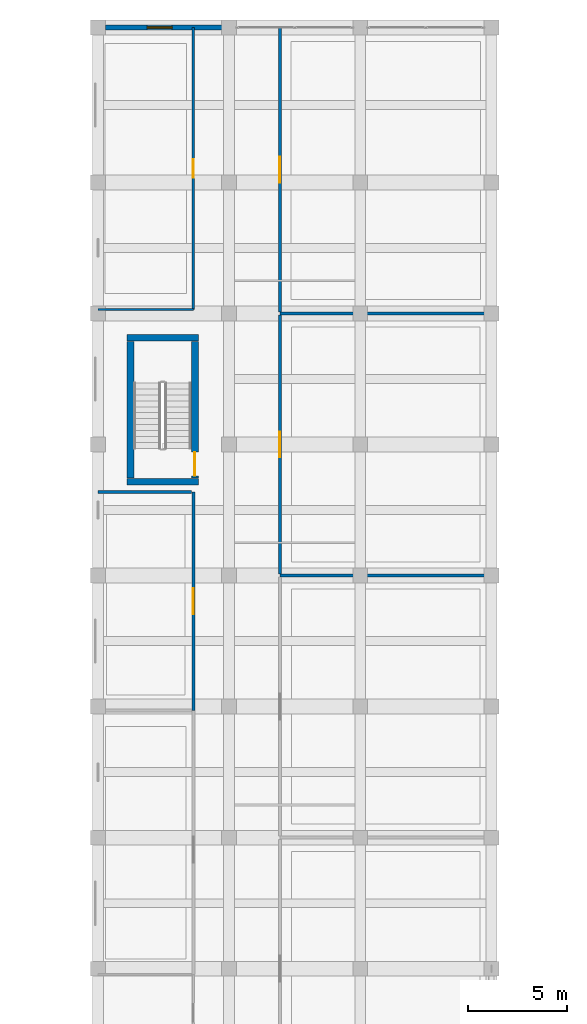
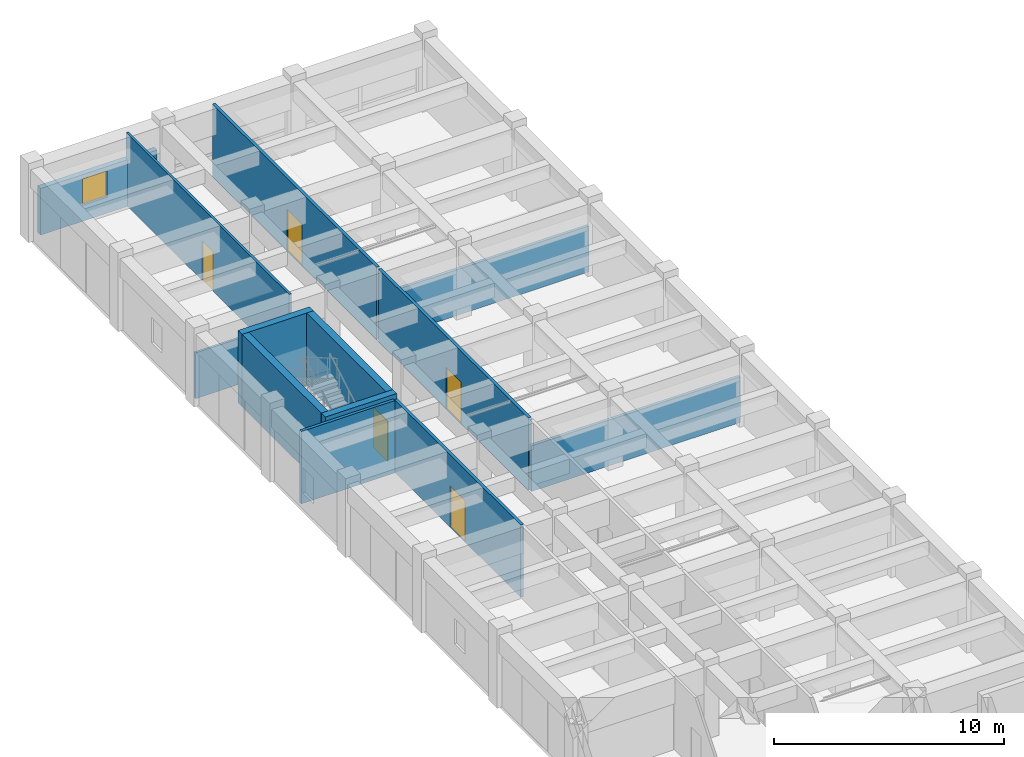
# One storey, part 130 of 148: 13 walls, 5 doors, 1 window, 6 openings.
"""IFC4 building model written with IfcOpenShell, lengths in metres."""

import ifcopenshell
import ifcopenshell.guid

model = None  # the IFC model being written
_history = None  # IfcOwnerHistory: only IFC2X3 demands one
_inside = {}  # id of a spatial element -> (the spatial element, [elements in it])
_under = {}  # id of a project, library or spatial element -> (it, [spatial elements below it])
_declared = {}  # id of a project -> (the project, [libraries it declares])
_typed = {}  # id of a type object -> (the type object, [elements of that type])
_made_of = {}  # id of a material, layer set ... -> (it, [elements and type objects made of it])


def new_model(schema):
    """Start an empty IFC model of exactly this schema.

    Asked for "IFC4X3", IfcOpenShell would pick the latest addendum, in which some entities
    have other attributes; the version numbers below select the first issue.
    IFC2X3 requires an IfcOwnerHistory on every rooted entity: one is made here for all.
    """
    global model, _history
    if schema == "IFC4X3":
        model = ifcopenshell.file(schema_version=(4, 3, 0, 0))
    else:
        model = ifcopenshell.file(schema=schema)
    _inside.clear()
    _under.clear()
    _declared.clear()
    _typed.clear()
    _made_of.clear()
    _history = None
    if model.schema == "IFC2X3":
        org = make("IfcOrganization", Name="unknown")
        user = make(
            "IfcPersonAndOrganization",
            ThePerson=make("IfcPerson", FamilyName="unknown"),
            TheOrganization=org,
        )
        app = make(
            "IfcApplication",
            ApplicationDeveloper=org,
            Version="unknown",
            ApplicationFullName="unknown",
            ApplicationIdentifier="unknown",
        )
        _history = make(
            "IfcOwnerHistory",
            OwningUser=user,
            OwningApplication=app,
            ChangeAction="ADDED",
            CreationDate=0,
        )
    return model


def make(cls, **values):
    """One entity of the class cls with the attributes given. An attribute that is None is left unset."""
    return model.create_entity(
        cls, **{name: value for name, value in values.items() if value is not None}
    )


def rooted(cls, **values):
    """An entity with a GlobalId (a new one), such as an element, a storey or a relation."""
    return make(cls, GlobalId=ifcopenshell.guid.new(), OwnerHistory=_history, **values)


def si_unit(unit_type, name, prefix=None):
    """IfcSIUnit, for example si_unit("LENGTHUNIT", "METRE", prefix="MILLI")."""
    return make("IfcSIUnit", UnitType=unit_type, Prefix=prefix, Name=name)


def assignment(units):
    """IfcUnitAssignment: the units of a project."""
    return None if units is None else make("IfcUnitAssignment", Units=units)


def point(xyz):
    """IfcCartesianPoint."""
    return None if xyz is None else make("IfcCartesianPoint", Coordinates=xyz)


def direction(xyz):
    """IfcDirection."""
    return None if xyz is None else make("IfcDirection", DirectionRatios=xyz)


def frame(location, z_axis=None, x_axis=None):
    """IfcAxis2Placement3D, a coordinate frame: its origin and axes. An axis left out is left unset."""
    return make(
        "IfcAxis2Placement3D",
        Location=point(location),
        Axis=direction(z_axis),
        RefDirection=direction(x_axis),
    )


def frame_2d(location, x_axis=None):
    """IfcAxis2Placement2D, a coordinate frame in the plane: its origin and x axis."""
    return make(
        "IfcAxis2Placement2D", Location=point(location), RefDirection=direction(x_axis)
    )


def origin():
    """The frame at (0, 0, 0) with its axes left unset."""
    return frame((0.0, 0.0, 0.0))


def place(relative_to, where):
    """IfcLocalPlacement: puts the frame where relative to a parent placement (None: the world)."""
    return make(
        "IfcLocalPlacement", PlacementRelTo=relative_to, RelativePlacement=where
    )


def context(
    kind, dimensions, precision=None, world=None, true_north=None, identifier=None
):
    """IfcGeometricRepresentationContext, for example the 3D "Model" context."""
    return make(
        "IfcGeometricRepresentationContext",
        ContextIdentifier=identifier,
        ContextType=kind,
        CoordinateSpaceDimension=dimensions,
        Precision=precision,
        WorldCoordinateSystem=world,
        TrueNorth=true_north,
    )


def subcontext(parent, identifier, kind, view, scale=None):
    """IfcGeometricRepresentationSubContext, for example "Body" below "Model"."""
    return make(
        "IfcGeometricRepresentationSubContext",
        ContextIdentifier=identifier,
        ContextType=kind,
        ParentContext=parent,
        TargetScale=scale,
        TargetView=view,
    )


def project(units=None, contexts=None):
    """IfcProject with its units and contexts."""
    return rooted(
        "IfcProject",
        Name="project",
        RepresentationContexts=contexts,
        UnitsInContext=assignment(units),
    )


def spatial(cls, under=None, at=None, **own):
    """A site, building, storey or space (cls), placed at a placement, below another one or the project."""
    s = rooted(cls, ObjectPlacement=at, **own)
    if under is not None:
        _under.setdefault(under.id(), (under, []))[1].append(s)
    return s


def profile(cls, at=None, kind="AREA", **sizes):
    """A parametric profile (cls). Its sizes go by their IFC names, for example OverallWidth=200.0."""
    return make(cls, ProfileType=kind, Position=at, **sizes)


def rectangle(**sizes):
    """IfcRectangleProfileDef."""
    return profile("IfcRectangleProfileDef", **sizes)


def extrude(swept, where, along, depth):
    """IfcExtrudedAreaSolid: the profile swept, set in the frame where, extruded along a direction by depth."""
    return make(
        "IfcExtrudedAreaSolid",
        SweptArea=swept,
        Position=where,
        ExtrudedDirection=direction(along),
        Depth=depth,
    )


def shape(context_of_items, identifier, shape_type, items):
    """IfcShapeRepresentation: the items that make up one representation, for example the "Body"."""
    return make(
        "IfcShapeRepresentation",
        ContextOfItems=context_of_items,
        RepresentationIdentifier=identifier,
        RepresentationType=shape_type,
        Items=items,
    )


def material(Name=None, Category=None):
    """IfcMaterial."""
    return make("IfcMaterial", Name=Name, Category=Category)


def layer(
    of_material, thickness, ventilated=None, Name=None, Category=None, Priority=None
):
    """IfcMaterialLayer: one layer of a wall or slab, of a material (None: an air gap)."""
    return make(
        "IfcMaterialLayer",
        Material=of_material,
        LayerThickness=thickness,
        IsVentilated=ventilated,
        Name=Name,
        Category=Category,
        Priority=Priority,
    )


def layer_set(layers, Name=None):
    """IfcMaterialLayerSet."""
    return make("IfcMaterialLayerSet", MaterialLayers=layers, LayerSetName=Name)


def made_of(thing, what):
    """Note that an element or type object is made of a material, layer set ...; save() writes the relation."""
    if what is not None:
        _made_of.setdefault(what.id(), (what, []))[1].append(thing)
    return thing


def type_object(cls, material=None, **own):
    """A type object (cls), such as IfcWallType, which elements share."""
    return made_of(rooted(cls, **own), material)


def element(
    cls,
    number,
    at=None,
    inside=None,
    cuts=None,
    type_object=None,
    material=None,
    context=None,
    identifier="Body",
    shape_type=None,
    held_by="IfcProductDefinitionShape",
    body=None,
    shapes=None,
    **own,
):
    """One element of the class cls, such as IfcWall. Its Tag is "e" and its number.

    at: its placement. inside: the storey or other place that contains it. cuts: it is an
    opening in that element (IfcRelVoidsElement). A single representation is given by context,
    identifier, shape_type and body (its items); several are given by shapes. held_by: the class
    of the entity that holds the representations. save() writes the other relations.
    """
    e = rooted(cls, Tag="e%d" % number, ObjectPlacement=at, **own)
    if body is not None:
        shapes = [shape(context, identifier, shape_type, body)]
    if shapes is not None:
        e.Representation = make(held_by, Representations=shapes)
    if inside is not None:
        _inside.setdefault(inside.id(), (inside, []))[1].append(e)
    if cuts is not None:
        rooted(
            "IfcRelVoidsElement", RelatingBuildingElement=cuts, RelatedOpeningElement=e
        )
    if type_object is not None:
        _typed.setdefault(type_object.id(), (type_object, []))[1].append(e)
    return made_of(e, material)


def fill(opening, filler):
    """IfcRelFillsElement: the door or window that sits in an opening."""
    return rooted(
        "IfcRelFillsElement",
        RelatingOpeningElement=opening,
        RelatedBuildingElement=filler,
    )


def aggregate(whole, parts):
    """IfcRelAggregates: a whole, such as a stair, and the parts it consists of."""
    return rooted("IfcRelAggregates", RelatingObject=whole, RelatedObjects=parts)


def save(model, path):
    """Write the relations noted so far, then the file.

    IfcRelAggregates (storeys below a building ...), IfcRelContainedInSpatialStructure (elements
    in a storey), IfcRelDefinesByType, IfcRelAssociatesMaterial and IfcRelDeclares: one each for
    every whole, place, type object, material and project.
    """
    for whole, parts in _under.values():
        aggregate(whole, parts)
    for where, things in _inside.values():
        rooted(
            "IfcRelContainedInSpatialStructure",
            RelatedElements=things,
            RelatingStructure=where,
        )
    for kind, things in _typed.values():
        rooted("IfcRelDefinesByType", RelatedObjects=things, RelatingType=kind)
    for what, things in _made_of.values():
        rooted("IfcRelAssociatesMaterial", RelatedObjects=things, RelatingMaterial=what)
    for by, libraries in _declared.values():
        rooted("IfcRelDeclares", RelatingContext=by, RelatedDefinitions=libraries)
    model.write(path)


model = new_model("IFC4")

# Units and contexts
model_context = context("Model", 3, precision=1e-05, world=origin(), true_north=direction((0.0, 1.0)))
body_context = subcontext(model_context, "Body", "Model", "MODEL_VIEW")
ifc_project = project(units=[si_unit("LENGTHUNIT", "METRE"), si_unit("AREAUNIT", "SQUARE_METRE"), si_unit("VOLUMEUNIT", "CUBIC_METRE"), si_unit("PLANEANGLEUNIT", "RADIAN"), si_unit("MASSUNIT", "GRAM", prefix="KILO")], contexts=[model_context])

# Site, building, storey
site_placement = place(None, origin())
site = spatial("IfcSite", under=ifc_project, at=site_placement, CompositionType="ELEMENT")
building_placement = place(site_placement, origin())
building = spatial("IfcBuilding", under=site, at=building_placement, Name="Karori Crest Natural Sciences Institute", CompositionType="ELEMENT")
storey_placement = place(building_placement, frame((0.0, 0.0, 4.89990234375)))
storey = spatial("IfcBuildingStorey", under=building, at=storey_placement, Name="L01", CompositionType="ELEMENT", Elevation=4.89990234375)

# Walls
ifc_material_1 = material(Name="Concrete 50 MPa", Category="concrete")
ifc_layer_1 = layer(ifc_material_1, 0.35009765625, Name="Concrete 50 MPa")
ifc_layer_set_1 = layer_set([ifc_layer_1], Name="Concrete 50 MPa")
wall_type_1 = type_object("IfcWallType", Name="IWT-02", PredefinedType="SHEAR", material=ifc_layer_set_1)
for number, where, z_axis, x_axis, name in (
    (1, (8.85009765625, 139.324951171875, 0.0), (0.0, 0.0, 1.0), (1.0, 0.0, 0.0), "Shear wall IW-0205"),
    (2, (8.85009765625, 146.574951171875, 0.0), (0.0, 0.0, 1.0), (1.0, 0.0, 0.0), "Shear wall IW-0206"),
):
    element("IfcWall", number, at=place(storey_placement, frame(where, z_axis=z_axis, x_axis=x_axis)), inside=storey, type_object=wall_type_1, Name=name, PredefinedType="SHEAR", context=body_context, shape_type="SweptSolid", body=[
        extrude(rectangle(XDim=3.599853515625, YDim=0.35009765625, at=frame_2d((1.7998046875, 0.0))), origin(), (0.0, 0.0, 1.0), 3.85009765625),
    ])
wall_1_placement = place(storey_placement, frame((9.02490234375, 139.501953125, 0.0), z_axis=(0.0, 0.0, 1.0), x_axis=(0.0, 1.0, 0.0)))
element("IfcWall", 3, at=wall_1_placement, inside=storey, type_object=wall_type_1, Name="Shear wall IW-0207", PredefinedType="SHEAR", context=body_context, shape_type="SweptSolid", body=[
    extrude(rectangle(XDim=6.89599609375, YDim=0.35009765625, at=frame_2d((3.447998046875, 0.0))), origin(), (0.0, 0.0, 1.0), 3.85009765625),
])

# Wall, opening, door
wall_2_placement = place(storey_placement, frame((12.27490234375, 139.501953125, 0.0), z_axis=(0.0, 0.0, 1.0), x_axis=(0.0, 1.0, 0.0)))
wall_2 = element("IfcWall", 4, at=wall_2_placement, inside=storey, type_object=wall_type_1, Name="Shear wall IW-0208", PredefinedType="SHEAR", context=body_context, shape_type="SweptSolid", body=[
    extrude(rectangle(XDim=6.89599609375, YDim=0.35009765625, at=frame_2d((3.447998046875, 0.0))), origin(), (0.0, 0.0, 1.0), 3.85009765625),
])
opening_1_placement = place(wall_2_placement, frame((0.1201171875, 0.0, 0.0)))
opening_1 = element("IfcOpeningElement", 5, at=opening_1_placement, cuts=wall_2, Name="Opening ID-0052", PredefinedType="OPENING", context=body_context, shape_type="SweptSolid", body=[
    extrude(rectangle(XDim=1.199951171875, YDim=2.14990234375, at=frame_2d((0.60009765625, 1.074951171875))), frame((0.0, 0.18505859375, 0.0), z_axis=(0.0, -1.0, 0.0), x_axis=(1.0, 0.0, 0.0)), (0.0, 0.0, 1.0), 0.3701171875),
])
ifc_material_2 = material(Name="Stainless steel 316 and fire-rated timber", Category="steel")
door_type_1 = type_object("IfcDoorType", Name="IDT-01", OperationType="NOTDEFINED", PredefinedType="DOOR", material=ifc_material_2)
door_1_placement = place(opening_1_placement, origin())
door_1 = element("IfcDoor", 6, at=door_1_placement, inside=storey, type_object=door_type_1, Name="Stair ST-06 fire door ID-0052", OperationType="SINGLE_SWING_RIGHT", OverallHeight=2.14990234375, OverallWidth=1.199951171875, PredefinedType="DOOR", context=body_context, shape_type="SweptSolid", body=[
    extrude(rectangle(XDim=1.199951171875, YDim=2.14990234375, at=frame_2d((0.60009765625, 1.074951171875))), frame((0.0, 0.02490234375, 0.0), z_axis=(0.0, -1.0, 0.0), x_axis=(1.0, 0.0, 0.0)), (0.0, 0.0, 1.0), 0.050048828125),
])
fill(opening_1, door_1)

# Wall
ifc_material_3 = material(Name="Clean-room insulated fire partition")
ifc_layer_2 = layer(ifc_material_3, 0.14990234375, Name="Clean-room insulated fire partition")
ifc_layer_set_2 = layer_set([ifc_layer_2], Name="Clean-room insulated fire partition")
wall_type_2 = type_object("IfcWallType", Name="IWT-06", PredefinedType="PARTITIONING", material=ifc_layer_set_2)
wall_3_placement = place(storey_placement, frame((7.39990234375, 138.800048828125, 0.0), z_axis=(0.0, 0.0, 1.0), x_axis=(1.0, 0.0, 0.0)))
element("IfcWall", 7, at=wall_3_placement, inside=storey, type_object=wall_type_2, Name="Partition wall IW-0943", PredefinedType="PARTITIONING", context=body_context, shape_type="SweptSolid", body=[
    extrude(rectangle(XDim=4.697998046875, YDim=0.14990234375, at=frame_2d((2.34912109375, 0.0))), origin(), (0.0, 0.0, 1.0), 3.85009765625),
])

# Wall, opening, door
wall_4_placement = place(storey_placement, frame((12.199951171875, 127.802001953125, 0.0), z_axis=(0.0, 0.0, 1.0), x_axis=(0.0, 1.0, 0.0)))
wall_4 = element("IfcWall", 8, at=wall_4_placement, inside=storey, type_object=wall_type_2, Name="Partition wall IW-0944", PredefinedType="PARTITIONING", context=body_context, shape_type="SweptSolid", body=[
    extrude(rectangle(XDim=10.998046875, YDim=0.14990234375, at=frame_2d((5.4990234375, 0.0))), origin(), (0.0, 0.0, 1.0), 3.85009765625),
])
opening_2_placement = place(wall_4_placement, frame((4.84912109375, 0.0, 0.0)))
opening_2 = element("IfcOpeningElement", 9, at=opening_2_placement, cuts=wall_4, Name="Opening ID-0245", PredefinedType="OPENING", context=body_context, shape_type="SweptSolid", body=[
    extrude(rectangle(XDim=1.300048828125, YDim=2.199951171875, at=frame_2d((0.64990234375, 1.10009765625))), frame((0.0, 0.0849609375, 0.0), z_axis=(0.0, -1.0, 0.0), x_axis=(1.0, 0.0, 0.0)), (0.0, 0.0, 1.0), 0.169921875),
])
door_type_2 = type_object("IfcDoorType", Name="IDT-04", OperationType="NOTDEFINED", PredefinedType="DOOR", material=ifc_material_2)
door_2_placement = place(opening_2_placement, origin())
door_2 = element("IfcDoor", 10, at=door_2_placement, inside=storey, type_object=door_type_2, Name="Optical Metrology Preparation Room door ID-0245", OperationType="SINGLE_SWING_LEFT", OverallHeight=2.199951171875, OverallWidth=1.300048828125, PredefinedType="DOOR", context=body_context, shape_type="SweptSolid", body=[
    extrude(rectangle(XDim=1.300048828125, YDim=2.199951171875, at=frame_2d((0.64990234375, 1.10009765625))), frame((0.0, 0.02490234375, 0.0), z_axis=(0.0, -1.0, 0.0), x_axis=(1.0, 0.0, 0.0)), (0.0, 0.0, 1.0), 0.050048828125),
])
fill(opening_2, door_2)

# Walls
for number, where, z_axis, x_axis, name in (
    (11, (16.550048828125, 134.60009765625, 0.0), (0.0, 0.0, 1.0), (1.0, 0.0, 0.0), "Partition wall IW-0953"),
    (12, (16.550048828125, 147.800048828125, 0.0), (0.0, 0.0, 1.0), (1.0, 0.0, 0.0), "Partition wall IW-0955"),
):
    element("IfcWall", number, at=place(storey_placement, frame(where, z_axis=z_axis, x_axis=x_axis)), inside=storey, type_object=wall_type_2, Name=name, PredefinedType="PARTITIONING", context=body_context, shape_type="SweptSolid", body=[
        extrude(rectangle(XDim=10.508056640625, YDim=0.14990234375, at=frame_2d((5.25390625, 0.0))), origin(), (0.0, 0.0, 1.0), 2.43505859375),
    ])

# Wall, opening, door
wall_5_placement = place(storey_placement, frame((16.550048828125, 134.677001953125, 0.0), z_axis=(0.0, 0.0, 1.0), x_axis=(0.0, 1.0, 0.0)))
wall_5 = element("IfcWall", 13, at=wall_5_placement, inside=storey, type_object=wall_type_2, Name="Partition wall IW-0956", PredefinedType="PARTITIONING", context=body_context, shape_type="SweptSolid", body=[
    extrude(rectangle(XDim=13.0458984375, YDim=0.14990234375, at=frame_2d((6.52294921875, 0.0))), origin(), (0.0, 0.0, 1.0), 3.85009765625),
])
opening_3_placement = place(wall_5_placement, frame((5.873046875, 0.0, 0.0)))
opening_3 = element("IfcOpeningElement", 14, at=opening_3_placement, cuts=wall_5, Name="Opening ID-0250", PredefinedType="OPENING", context=body_context, shape_type="SweptSolid", body=[
    extrude(rectangle(XDim=1.300048828125, YDim=2.199951171875, at=frame_2d((0.64990234375, 1.10009765625))), frame((0.0, 0.0849609375, 0.0), z_axis=(0.0, -1.0, 0.0), x_axis=(1.0, 0.0, 0.0)), (0.0, 0.0, 1.0), 0.169921875),
])
door_3_placement = place(opening_3_placement, origin())
door_3 = element("IfcDoor", 15, at=door_3_placement, inside=storey, type_object=door_type_2, Name="ISO Class 6 Nanofabrication Clean Room door ID-0250", OperationType="SINGLE_SWING_RIGHT", OverallHeight=2.199951171875, OverallWidth=1.300048828125, PredefinedType="DOOR", context=body_context, shape_type="SweptSolid", body=[
    extrude(rectangle(XDim=1.300048828125, YDim=2.199951171875, at=frame_2d((0.64990234375, 1.10009765625))), frame((0.0, 0.02490234375, 0.0), z_axis=(0.0, -1.0, 0.0), x_axis=(1.0, 0.0, 0.0)), (0.0, 0.0, 1.0), 0.050048828125),
])
fill(opening_3, door_3)

wall_6_placement = place(storey_placement, frame((16.550048828125, 147.876953125, 0.0), z_axis=(0.0, 0.0, 1.0), x_axis=(0.0, 1.0, 0.0)))
wall_6 = element("IfcWall", 16, at=wall_6_placement, inside=storey, type_object=wall_type_2, Name="Partition wall IW-0957", PredefinedType="PARTITIONING", context=body_context, shape_type="SweptSolid", body=[
    extrude(rectangle(XDim=14.322998046875, YDim=0.14990234375, at=frame_2d((7.16162109375, 0.0))), origin(), (0.0, 0.0, 1.0), 3.85009765625),
])
opening_4_placement = place(wall_6_placement, frame((6.511474609375, 0.0, 0.0)))
opening_4 = element("IfcOpeningElement", 17, at=opening_4_placement, cuts=wall_6, Name="Opening ID-0251", PredefinedType="OPENING", context=body_context, shape_type="SweptSolid", body=[
    extrude(rectangle(XDim=1.300048828125, YDim=2.199951171875, at=frame_2d((0.64990234375, 1.10009765625))), frame((0.0, 0.0849609375, 0.0), z_axis=(0.0, -1.0, 0.0), x_axis=(1.0, 0.0, 0.0)), (0.0, 0.0, 1.0), 0.169921875),
])
door_4_placement = place(opening_4_placement, origin())
door_4 = element("IfcDoor", 18, at=door_4_placement, inside=storey, type_object=door_type_2, Name="ISO Class 7 Bio-MEMS Clean Room door ID-0251", OperationType="SINGLE_SWING_LEFT", OverallHeight=2.199951171875, OverallWidth=1.300048828125, PredefinedType="DOOR", context=body_context, shape_type="SweptSolid", body=[
    extrude(rectangle(XDim=1.300048828125, YDim=2.199951171875, at=frame_2d((0.64990234375, 1.10009765625))), frame((0.0, 0.02490234375, 0.0), z_axis=(0.0, -1.0, 0.0), x_axis=(1.0, 0.0, 0.0)), (0.0, 0.0, 1.0), 0.050048828125),
])
fill(opening_4, door_4)

# Wall
ifc_material_4 = material(Name="Write-up office acoustic partition")
ifc_layer_3 = layer(ifc_material_4, 0.1201171875, Name="Write-up office acoustic partition")
ifc_layer_set_3 = layer_set([ifc_layer_3], Name="Write-up office acoustic partition")
wall_type_3 = type_object("IfcWallType", Name="IWT-08", PredefinedType="PARTITIONING", material=ifc_layer_set_3)
wall_7_placement = place(storey_placement, frame((7.39990234375, 148.0, 0.0), z_axis=(0.0, 0.0, 1.0), x_axis=(1.0, 0.0, 0.0)))
element("IfcWall", 19, at=wall_7_placement, inside=storey, type_object=wall_type_3, Name="Partition wall IW-0945", PredefinedType="PARTITIONING", context=body_context, shape_type="SweptSolid", body=[
    extrude(rectangle(XDim=4.800048828125, YDim=0.1201171875, at=frame_2d((2.39990234375, 0.0))), origin(), (0.0, 0.0, 1.0), 2.43505859375),
])

# Wall, opening, door
wall_8_placement = place(storey_placement, frame((12.199951171875, 148.0, 0.0), z_axis=(0.0, 0.0, 1.0), x_axis=(0.0, 1.0, 0.0)))
wall_8 = element("IfcWall", 20, at=wall_8_placement, inside=storey, type_object=wall_type_3, Name="Partition wall IW-0946", PredefinedType="PARTITIONING", context=body_context, shape_type="SweptSolid", body=[
    extrude(rectangle(XDim=14.199951171875, YDim=0.1201171875, at=frame_2d((7.10009765625, 0.0))), origin(), (0.0, 0.0, 1.0), 3.85009765625),
])
opening_5_placement = place(wall_8_placement, frame((6.625, 0.0, 0.0)))
opening_5 = element("IfcOpeningElement", 21, at=opening_5_placement, cuts=wall_8, Name="Opening ID-0246", PredefinedType="OPENING", context=body_context, shape_type="SweptSolid", body=[
    extrude(rectangle(XDim=0.949951171875, YDim=2.10009765625, at=frame_2d((0.47509765625, 1.050048828125))), frame((0.0, 0.070068359375, 0.0), z_axis=(0.0, -1.0, 0.0), x_axis=(1.0, 0.0, 0.0)), (0.0, 0.0, 1.0), 0.14013671875),
])
ifc_material_5 = material(Name="Anodised aluminium and acoustic timber", Category="wood")
door_type_3 = type_object("IfcDoorType", Name="IDT-08", OperationType="NOTDEFINED", PredefinedType="DOOR", material=ifc_material_5)
door_5_placement = place(opening_5_placement, origin())
door_5 = element("IfcDoor", 22, at=door_5_placement, inside=storey, type_object=door_type_3, Name="Specimen Assay Room door ID-0246", OperationType="SINGLE_SWING_RIGHT", OverallHeight=2.10009765625, OverallWidth=0.949951171875, PredefinedType="DOOR", context=body_context, shape_type="SweptSolid", body=[
    extrude(rectangle(XDim=0.949951171875, YDim=2.10009765625, at=frame_2d((0.47509765625, 1.050048828125))), frame((0.0, 0.02490234375, 0.0), z_axis=(0.0, -1.0, 0.0), x_axis=(1.0, 0.0, 0.0)), (0.0, 0.0, 1.0), 0.050048828125),
])
fill(opening_5, door_5)

# Wall, opening, window
ifc_material_6 = material(Name="Precast concrete 40 MPa", Category="concrete")
ifc_layer_4 = layer(ifc_material_6, 0.260009765625, Name="Precast concrete 40 MPa")
ifc_layer_set_4 = layer_set([ifc_layer_4], Name="Precast concrete 40 MPa")
wall_type_4 = type_object("IfcWallType", Name="WT-03", PredefinedType="SOLIDWALL", material=ifc_layer_set_4)
wall_9_placement = place(storey_placement, frame((7.77294921875, 162.199951171875, 0.0), z_axis=(0.0, 0.0, 1.0), x_axis=(1.0, 0.0, 0.0)))
wall_9 = element("IfcWall", 23, at=wall_9_placement, inside=storey, type_object=wall_type_4, Name="Exterior wall EW-0163", PredefinedType="SOLIDWALL", context=body_context, shape_type="SweptSolid", body=[
    extrude(rectangle(XDim=5.85400390625, YDim=0.260009765625, at=frame_2d((2.927001953125, 0.0))), origin(), (0.0, 0.0, 1.0), 2.47998046875),
])
opening_6_placement = place(wall_9_placement, frame((2.10009765625, 0.0, 0.85009765625)))
opening_6 = element("IfcOpeningElement", 24, at=opening_6_placement, cuts=wall_9, Name="Opening WN-0102", PredefinedType="OPENING", context=body_context, shape_type="SweptSolid", body=[
    extrude(rectangle(XDim=1.25, YDim=1.39990234375, at=frame_2d((0.625, 0.699951171875))), frame((0.0, 0.14013671875, 0.0), z_axis=(0.0, -1.0, 0.0), x_axis=(1.0, 0.0, 0.0)), (0.0, 0.0, 1.0), 0.280029296875),
])
ifc_material_7 = material(Name="Double low-E laminated glass", Category="glass")
window_type = type_object("IfcWindowType", Name="WNT-02", PartitioningType="SINGLE_PANEL", PredefinedType="WINDOW", material=ifc_material_7)
window_placement = place(opening_6_placement, origin())
window = element("IfcWindow", 25, at=window_placement, inside=storey, type_object=window_type, Name="Window WN-0102", OverallHeight=1.39990234375, OverallWidth=1.25, PartitioningType="SINGLE_PANEL", PredefinedType="WINDOW", context=body_context, shape_type="SweptSolid", body=[
    extrude(rectangle(XDim=1.25, YDim=1.39990234375, at=frame_2d((0.625, 0.699951171875))), frame((0.0, 0.030029296875, 0.0), z_axis=(0.0, -1.0, 0.0), x_axis=(1.0, 0.0, 0.0)), (0.0, 0.0, 1.0), 0.06005859375),
])
fill(opening_6, window)

save(model, "model.ifc")
